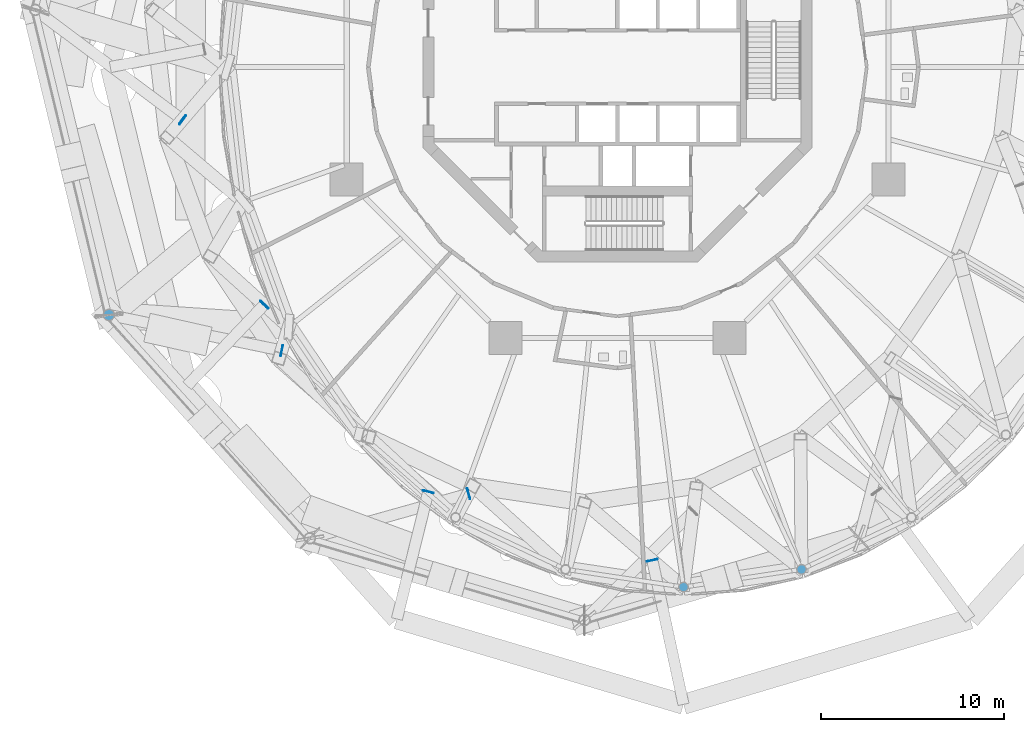
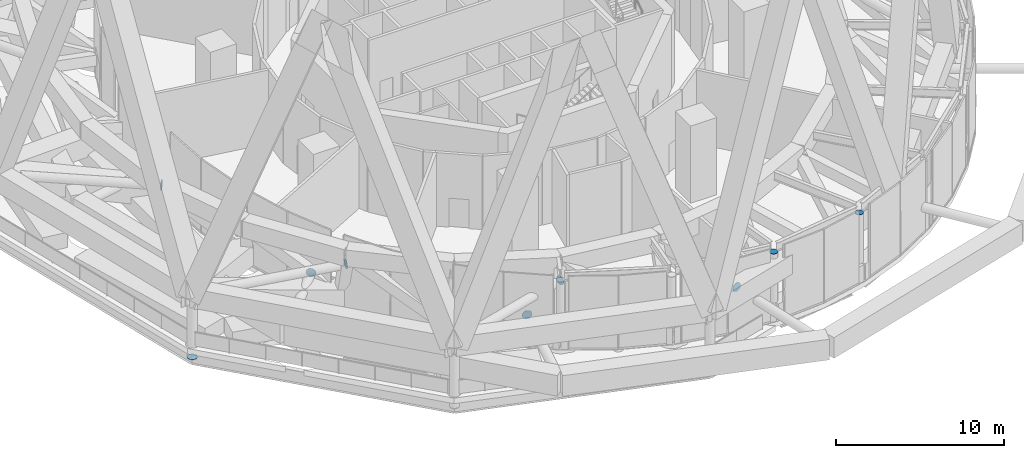
# One storey, part 54 of 60: 9 discrete accessories.
"""IFC4 building model written with IfcOpenShell, lengths in metres."""

from ifc_helpers import new_model, si_unit, direction, frame, origin, origin_2d, place, context, subcontext, project, spatial, circle, extrude, material, layer, layer_set, type_object, element, save


model = new_model("IFC4")

# Units and contexts
model_context = context("Model", 3, precision=1e-05, world=origin(), true_north=direction((0.0, 1.0)))
body_context = subcontext(model_context, "Body", "Model", "MODEL_VIEW")
ifc_project = project(units=[si_unit("LENGTHUNIT", "METRE"), si_unit("AREAUNIT", "SQUARE_METRE"), si_unit("VOLUMEUNIT", "CUBIC_METRE"), si_unit("PLANEANGLEUNIT", "RADIAN"), si_unit("MASSUNIT", "GRAM", prefix="KILO")], contexts=[model_context])

# Site, building, storey
site_placement = place(None, origin())
site = spatial("IfcSite", under=ifc_project, at=site_placement, CompositionType="ELEMENT")
building_placement = place(site_placement, origin())
building = spatial("IfcBuilding", under=site, at=building_placement, Name="Nagisa Residences", CompositionType="ELEMENT")
storey_placement = place(building_placement, frame((0.0, 0.0, 206.60009765625)))
storey = spatial("IfcBuildingStorey", under=building, at=storey_placement, Name="L52", CompositionType="ELEMENT", Elevation=206.60009765625)

# Discrete accessories
ifc_material_1 = material(Name="Steel ASTM A572 Gr 50", Category="steel")
ifc_layer_1 = layer(ifc_material_1, 0.030029296875)
ifc_layer_set_1 = layer_set([ifc_layer_1], Name="End plate")
discrete_accessory_type_1 = type_object("IfcDiscreteAccessoryType", Name="End plate", PredefinedType="ANCHORPLATE", material=ifc_layer_set_1)
discrete_accessory_1_placement = place(storey_placement, frame((-27.7548828125, -13.52734375, -0.89013671875), z_axis=(0.0, 0.0, -1.0), x_axis=(1.0, 0.0, 0.0)))
element("IfcDiscreteAccessory", 1, at=discrete_accessory_1_placement, inside=storey, type_object=discrete_accessory_type_1, Name="End plate DH407", PredefinedType="ANCHORPLATE", context=body_context, shape_type="SweptSolid", body=[
    extrude(circle(Radius=0.304931640625, at=origin_2d()), origin(), (0.0, 0.0, 1.0), 0.030029296875),
])
for number, where, z_axis, x_axis, name in (
    (2, (3.60009765625, -28.375, 4.73681640625), (0.0, 0.0, 1.0), (1.0, 0.0, 0.0), "End plate GP419"),
    (3, (10.0380859375, -27.408203125, 4.73681640625), (0.0, 0.0, 1.0), (1.0, 0.0, 0.0), "End plate GP420"),
):
    element("IfcDiscreteAccessory", number, at=place(storey_placement, frame(where, z_axis=z_axis, x_axis=x_axis)), inside=storey, type_object=discrete_accessory_type_1, Name=name, PredefinedType="ANCHORPLATE", context=body_context, shape_type="SweptSolid", body=[
        extrude(circle(Radius=0.25390625, at=origin_2d()), origin(), (0.0, 0.0, 1.0), 0.030029296875),
    ])
ifc_material_2 = material(Name="Steel ASTM A572 Gr 50", Category="steel")
ifc_layer_2 = layer(ifc_material_2, 0.030029296875)
ifc_layer_set_2 = layer_set([ifc_layer_2], Name="Node plate")
discrete_accessory_type_2 = type_object("IfcDiscreteAccessoryType", Name="Node plate", PredefinedType="ANCHORPLATE", material=ifc_layer_set_2)
for number, where, z_axis, x_axis, name in (
    (4, (-19.283203125, -12.975341796875, 1.89990234375), (0.690668977589, 0.723171047123, 0.0), (-0.723171047123, 0.690668977589, 0.0), "Node plate ST4A08"),
    (5, (-10.328369140625, -23.190673828125, 1.89990234375), (0.244452425326, 0.969661287127, 0.0), (-0.969661287127, 0.244452425326, 0.0), "Node plate ST4A09"),
    (6, (1.904296875, -26.9296875, 1.89990234375), (-0.211753347006, 0.977323140027, 0.0), (-0.977323140027, -0.211753347006, 0.0), "Node plate ST4A10"),
):
    element("IfcDiscreteAccessory", number, at=place(storey_placement, frame(where, z_axis=z_axis, x_axis=x_axis)), inside=storey, type_object=discrete_accessory_type_2, Name=name, PredefinedType="ANCHORPLATE", context=body_context, shape_type="SweptSolid", body=[
        extrude(circle(Radius=0.304931640625, at=origin_2d()), origin(), (0.0, 0.0, 1.0), 0.030029296875),
    ])
for number, where, z_axis, x_axis, name in (
    (7, (-23.739990234375, -2.876708984375, 3.699951171875), (0.800969825189, -0.598704717818, 0.0), (0.598704717818, 0.800969825189, 0.0), "Node plate ST5B07"),
    (8, (-18.3349609375, -15.467041015625, 3.699951171875), (0.979315754785, -0.202337965865, 0.0), (0.202337965865, 0.979315754785, 0.0), "Node plate ST5B08"),
):
    element("IfcDiscreteAccessory", number, at=place(storey_placement, frame(where, z_axis=z_axis, x_axis=x_axis)), inside=storey, type_object=discrete_accessory_type_2, Name=name, PredefinedType="ANCHORPLATE", context=body_context, shape_type="SweptSolid", body=[
        extrude(circle(Radius=0.304931640625, at=origin_2d()), origin(), (0.0, 0.0, 1.0), 0.0302734375),
    ])
discrete_accessory_2_placement = place(storey_placement, frame((-8.1357421875, -23.28759765625, 3.699951171875), z_axis=(0.960906954427, 0.276871495343, 0.0), x_axis=(-0.276871495343, 0.960906954427, 0.0)))
element("IfcDiscreteAccessory", 9, at=discrete_accessory_2_placement, inside=storey, type_object=discrete_accessory_type_2, Name="Node plate ST5B09", PredefinedType="ANCHORPLATE", context=body_context, shape_type="SweptSolid", body=[
    extrude(circle(Radius=0.304931640625, at=origin_2d()), origin(), (0.0, 0.0, 1.0), 0.030029296875),
])

save(model, "model.ifc")
